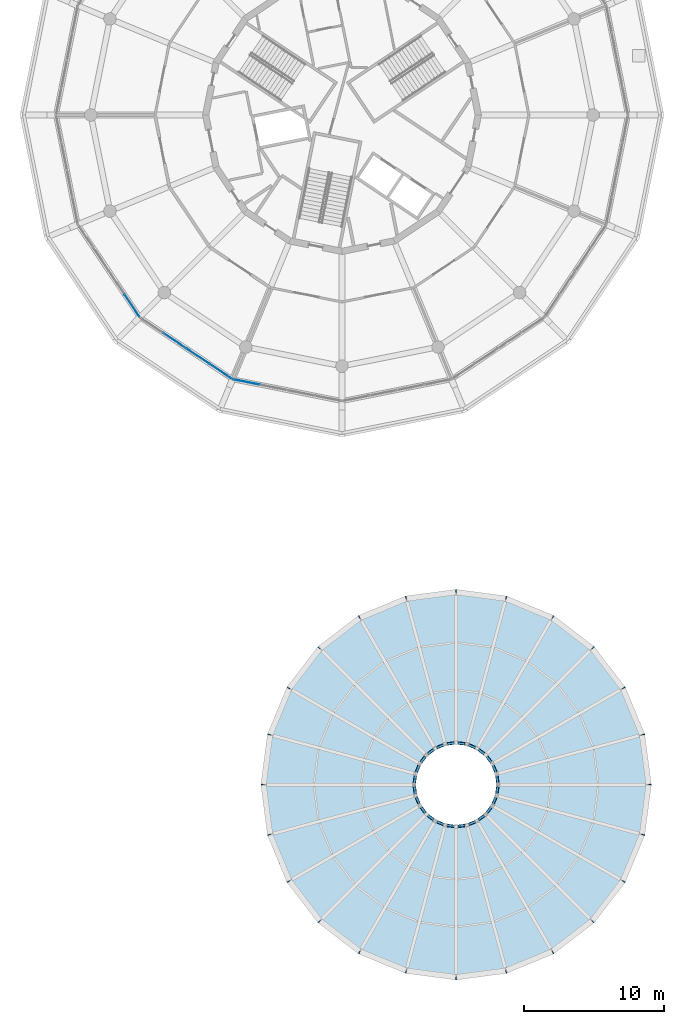
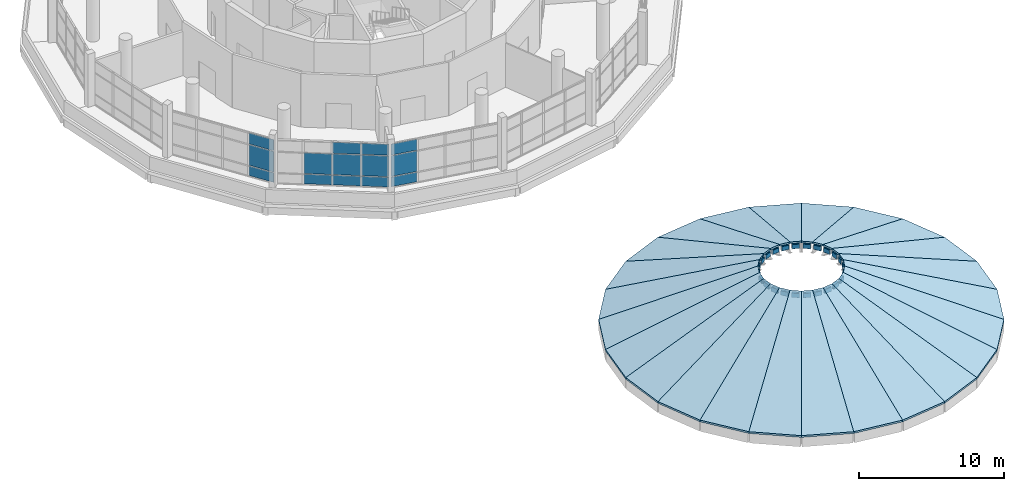
# One storey, part 12 of 21: 24 beams, 24 slabs, 14 plates, 3 elements without a shape of their own.
"""IFC4 building model written with IfcOpenShell, lengths in metres."""

from ifc_helpers import new_model, si_unit, direction, frame, origin, origin_2d, place, context, subcontext, project, spatial, polyline, rectangle, hollow_rectangle, outline, extrude, material, layer, layer_set, material_profile, profile_set, type_object, element, aggregate, save


model = new_model("IFC4")

# Units and contexts
model_context = context("Model", 3, precision=1e-05, world=origin(), true_north=direction((0.0, 1.0)))
body_context = subcontext(model_context, "Body", "Model", "MODEL_VIEW")
ifc_project = project(units=[si_unit("LENGTHUNIT", "METRE"), si_unit("AREAUNIT", "SQUARE_METRE"), si_unit("VOLUMEUNIT", "CUBIC_METRE"), si_unit("PLANEANGLEUNIT", "RADIAN"), si_unit("MASSUNIT", "GRAM", prefix="KILO")], contexts=[model_context])

# Site, building, storey
site_placement = place(None, origin())
site = spatial("IfcSite", under=ifc_project, at=site_placement, CompositionType="ELEMENT")
building_placement = place(site_placement, origin())
building = spatial("IfcBuilding", under=site, at=building_placement, Name="Ceibo Conservatory and Research Tower", CompositionType="ELEMENT")
storey_placement = place(building_placement, frame((0.0, 0.0, 15.60009765625)))
storey = spatial("IfcBuildingStorey", under=building, at=storey_placement, Name="L03", CompositionType="ELEMENT", Elevation=15.60009765625)

# Beams
ifc_material_1 = material(Name="Steel S355J2H", Category="steel")
ifc_material_profile = material_profile(ifc_material_1, hollow_rectangle(XDim=0.199951171875, YDim=0.39990234375, WallThickness=0.012451171875, InnerFilletRadius=0.02490234375, OuterFilletRadius=0.03759765625, at=origin_2d()), Name="RHS 400x200x12.5")
ifc_profile_set = profile_set([ifc_material_profile], Name="Steel S355J2H")
beam_type = type_object("IfcBeamType", Name="compression ring RHS 400x200x12.5", PredefinedType="BEAM", material=ifc_profile_set)
for number, where, z_axis, x_axis, name in (
    (1, (59.16357421875, 72.125, 5.0498046875), (-0.130597255513, 0.991435503123, 0.0), (-0.991435503123, -0.130597255513, 0.0), "Auditorium compression ring chord 01"),
    (2, (59.029541015625, 72.892822265625, 5.0498046875), (-0.382460061693, 0.923972024041, 0.0), (-0.923972024041, -0.382460061693, 0.0), "Auditorium compression ring chord 02"),
    (3, (58.701416015625, 73.60009765625, 5.0498046875), (-0.608865897891, 0.793273167569, 0.0), (-0.793273167569, -0.608865897891, 0.0), "Auditorium compression ring chord 03"),
    (4, (58.201416015625, 74.197998046875, 5.0498046875), (-0.793443555706, 0.60864383995, 0.0), (-0.60864383995, -0.793443555706, 0.0), "Auditorium compression ring chord 04"),
):
    element("IfcBeam", number, at=place(storey_placement, frame(where, z_axis=z_axis, x_axis=x_axis)), inside=storey, type_object=beam_type, Name=name, PredefinedType="BEAM", context=body_context, shape_type="SweptSolid", body=[
        extrude(hollow_rectangle(XDim=0.199951171875, YDim=0.39990234375, WallThickness=0.012451171875, InnerFilletRadius=0.02490234375, OuterFilletRadius=0.03759765625, at=origin_2d()), origin(), (0.0, 0.0, 1.0), 0.531005859375),
    ])
beam_1_placement = place(storey_placement, frame((57.563720703125, 74.646240234375, 5.0498046875), z_axis=(-0.923809523799, 0.382852404639, 0.0), x_axis=(-0.382852404639, -0.923809523799, 0.0)))
element("IfcBeam", 5, at=beam_1_placement, inside=storey, type_object=beam_type, Name="Auditorium compression ring chord 05", PredefinedType="BEAM", context=body_context, shape_type="SweptSolid", body=[
    extrude(hollow_rectangle(XDim=0.199951171875, YDim=0.39990234375, WallThickness=0.012451171875, InnerFilletRadius=0.02490234375, OuterFilletRadius=0.03759765625, at=origin_2d()), origin(), (0.0, 0.0, 1.0), 0.53125),
])
beam_2_placement = place(storey_placement, frame((56.83154296875, 74.914306640625, 5.0498046875), z_axis=(-0.991435503123, 0.130597255513, 0.0), x_axis=(-0.130597255513, -0.991435503123, 0.0)))
element("IfcBeam", 6, at=beam_2_placement, inside=storey, type_object=beam_type, Name="Auditorium compression ring chord 06", PredefinedType="BEAM", context=body_context, shape_type="SweptSolid", body=[
    extrude(hollow_rectangle(XDim=0.199951171875, YDim=0.39990234375, WallThickness=0.012451171875, InnerFilletRadius=0.02490234375, OuterFilletRadius=0.03759765625, at=origin_2d()), origin(), (0.0, 0.0, 1.0), 0.531005859375),
])
beam_3_placement = place(storey_placement, frame((56.05517578125, 74.983642578125, 5.0498046875), z_axis=(-0.991443340791, -0.130537741671, 0.0), x_axis=(0.130537741671, -0.991443340791, 0.0)))
element("IfcBeam", 7, at=beam_3_placement, inside=storey, type_object=beam_type, Name="Auditorium compression ring chord 07", PredefinedType="BEAM", context=body_context, shape_type="SweptSolid", body=[
    extrude(hollow_rectangle(XDim=0.199951171875, YDim=0.39990234375, WallThickness=0.012451171875, InnerFilletRadius=0.02490234375, OuterFilletRadius=0.03759765625, at=origin_2d()), origin(), (0.0, 0.0, 1.0), 0.53125),
])
for number, where, z_axis, x_axis, name in (
    (8, (55.287109375, 74.849609375, 5.0498046875), (-0.923742113572, -0.3830150227, 0.0), (0.3830150227, -0.923742113572, 0.0), "Auditorium compression ring chord 08"),
    (9, (54.580078125, 74.521240234375, 5.0498046875), (-0.793443555706, -0.60864383995, 0.0), (0.60864383995, -0.793443555706, 0.0), "Auditorium compression ring chord 09"),
    (10, (53.98193359375, 74.021240234375, 5.0498046875), (-0.608865897891, -0.793273167569, 0.0), (0.793273167569, -0.608865897891, 0.0), "Auditorium compression ring chord 10"),
    (11, (53.53369140625, 73.383544921875, 5.0498046875), (-0.382460061693, -0.923972024041, 0.0), (0.923972024041, -0.382460061693, 0.0), "Auditorium compression ring chord 11"),
    (12, (53.265869140625, 72.6513671875, 5.0498046875), (-0.130597255513, -0.991435503123, 0.0), (0.991435503123, -0.130597255513, 0.0), "Auditorium compression ring chord 12"),
    (13, (53.196533203125, 71.875, 5.0498046875), (0.130597255513, -0.991435503123, 0.0), (0.991435503123, 0.130597255513, 0.0), "Auditorium compression ring chord 13"),
    (14, (53.33056640625, 71.107177734375, 5.0498046875), (0.382460061693, -0.923972024041, 0.0), (0.923972024041, 0.382460061693, 0.0), "Auditorium compression ring chord 14"),
    (15, (53.65869140625, 70.39990234375, 5.0498046875), (0.608865897891, -0.793273167569, 0.0), (0.793273167569, 0.608865897891, 0.0), "Auditorium compression ring chord 15"),
    (16, (54.15869140625, 69.802001953125, 5.0498046875), (0.793443555706, -0.60864383995, 0.0), (0.60864383995, 0.793443555706, 0.0), "Auditorium compression ring chord 16"),
    (17, (54.796630859375, 69.353759765625, 5.0498046875), (0.923742113572, -0.3830150227, 0.0), (0.3830150227, 0.923742113572, 0.0), "Auditorium compression ring chord 17"),
):
    element("IfcBeam", number, at=place(storey_placement, frame(where, z_axis=z_axis, x_axis=x_axis)), inside=storey, type_object=beam_type, Name=name, PredefinedType="BEAM", context=body_context, shape_type="SweptSolid", body=[
        extrude(hollow_rectangle(XDim=0.199951171875, YDim=0.39990234375, WallThickness=0.012451171875, InnerFilletRadius=0.02490234375, OuterFilletRadius=0.03759765625, at=origin_2d()), origin(), (0.0, 0.0, 1.0), 0.531005859375),
    ])
beam_4_placement = place(storey_placement, frame((55.528564453125, 69.085693359375, 5.0498046875), z_axis=(0.991443340791, -0.130537741671, 0.0), x_axis=(0.130537741671, 0.991443340791, 0.0)))
element("IfcBeam", 18, at=beam_4_placement, inside=storey, type_object=beam_type, Name="Auditorium compression ring chord 18", PredefinedType="BEAM", context=body_context, shape_type="SweptSolid", body=[
    extrude(hollow_rectangle(XDim=0.199951171875, YDim=0.39990234375, WallThickness=0.012451171875, InnerFilletRadius=0.02490234375, OuterFilletRadius=0.03759765625, at=origin_2d()), origin(), (0.0, 0.0, 1.0), 0.53125),
])
beam_5_placement = place(storey_placement, frame((56.30517578125, 69.016357421875, 5.0498046875), z_axis=(0.991435503123, 0.130597255513, 0.0), x_axis=(-0.130597255513, 0.991435503123, 0.0)))
element("IfcBeam", 19, at=beam_5_placement, inside=storey, type_object=beam_type, Name="Auditorium compression ring chord 19", PredefinedType="BEAM", context=body_context, shape_type="SweptSolid", body=[
    extrude(hollow_rectangle(XDim=0.199951171875, YDim=0.39990234375, WallThickness=0.012451171875, InnerFilletRadius=0.02490234375, OuterFilletRadius=0.03759765625, at=origin_2d()), origin(), (0.0, 0.0, 1.0), 0.531005859375),
])
beam_6_placement = place(storey_placement, frame((57.072998046875, 69.150390625, 5.0498046875), z_axis=(0.923809523799, 0.382852404639, 0.0), x_axis=(-0.382852404639, 0.923809523799, 0.0)))
element("IfcBeam", 20, at=beam_6_placement, inside=storey, type_object=beam_type, Name="Auditorium compression ring chord 20", PredefinedType="BEAM", context=body_context, shape_type="SweptSolid", body=[
    extrude(hollow_rectangle(XDim=0.199951171875, YDim=0.39990234375, WallThickness=0.012451171875, InnerFilletRadius=0.02490234375, OuterFilletRadius=0.03759765625, at=origin_2d()), origin(), (0.0, 0.0, 1.0), 0.53125),
])
for number, where, z_axis, x_axis, name in (
    (21, (57.780029296875, 69.478759765625, 5.0498046875), (0.793443555706, 0.60864383995, 0.0), (-0.60864383995, 0.793443555706, 0.0), "Auditorium compression ring chord 21"),
    (22, (58.378173828125, 69.978759765625, 5.0498046875), (0.608865897891, 0.793273167569, 0.0), (-0.793273167569, 0.608865897891, 0.0), "Auditorium compression ring chord 22"),
    (23, (58.826416015625, 70.616455078125, 5.0498046875), (0.382460061693, 0.923972024041, 0.0), (-0.923972024041, 0.382460061693, 0.0), "Auditorium compression ring chord 23"),
    (24, (59.09423828125, 71.3486328125, 5.0498046875), (0.130597255513, 0.991435503123, 0.0), (-0.991435503123, 0.130597255513, 0.0), "Auditorium compression ring chord 24"),
):
    element("IfcBeam", number, at=place(storey_placement, frame(where, z_axis=z_axis, x_axis=x_axis)), inside=storey, type_object=beam_type, Name=name, PredefinedType="BEAM", context=body_context, shape_type="SweptSolid", body=[
        extrude(hollow_rectangle(XDim=0.199951171875, YDim=0.39990234375, WallThickness=0.012451171875, InnerFilletRadius=0.02490234375, OuterFilletRadius=0.03759765625, at=origin_2d()), origin(), (0.0, 0.0, 1.0), 0.531005859375),
    ])

# Curtain wall, plates
ifc_material_2 = material(Name="Aluminium and glass", Category="aluminium")
curtain_wall_type = type_object("IfcCurtainWallType", Name="Curtain wall CW1", PredefinedType="NOTDEFINED", material=ifc_material_2)
curtain_wall_1_placement = place(storey_placement, origin())
curtain_wall_1 = element("IfcCurtainWall", 25, at=curtain_wall_1_placement, inside=storey, type_object=curtain_wall_type, Name="CW-03.10", PredefinedType="NOTDEFINED")
ifc_material_3 = material(Name="Glass", Category="glass")
ifc_layer_1 = layer(ifc_material_3, 0.028076171875)
ifc_layer_set_1 = layer_set([ifc_layer_1], Name="Glass")
plate_type = type_object("IfcPlateType", Name="Insulated glass panel 28", PredefinedType="CURTAIN_PANEL", material=ifc_layer_set_1)
plate_1_placement = place(storey_placement, frame((32.9404296875, 106.34814453125, 0.059814453125), z_axis=(0.0, 0.0, 1.0), x_axis=(0.555570178092, -0.831469649004, 0.0)))
plate_1 = element("IfcPlate", 26, at=plate_1_placement, type_object=plate_type, Name="CW-03.10 panel 4.1", PredefinedType="CURTAIN_PANEL", context=body_context, shape_type="SweptSolid", body=[
    extrude(rectangle(XDim=1.90966796875, YDim=0.028076171875, at=origin_2d()), origin(), (0.0, 0.0, 1.0), 0.81005859375),
])
plate_2_placement = place(storey_placement, frame((32.9404296875, 106.34814453125, 0.9296875), z_axis=(0.0, 0.0, 1.0), x_axis=(0.555570178092, -0.831469649004, 0.0)))
plate_2 = element("IfcPlate", 27, at=plate_2_placement, type_object=plate_type, Name="CW-03.10 panel 4.2", PredefinedType="CURTAIN_PANEL", context=body_context, shape_type="SweptSolid", body=[
    extrude(rectangle(XDim=1.90966796875, YDim=0.028076171875, at=origin_2d()), origin(), (0.0, 0.0, 1.0), 1.739990234375),
])
plate_3_placement = place(storey_placement, frame((32.9404296875, 106.34814453125, 2.72998046875), z_axis=(0.0, 0.0, 1.0), x_axis=(0.555570178092, -0.831469649004, 0.0)))
plate_3 = element("IfcPlate", 28, at=plate_3_placement, type_object=plate_type, Name="CW-03.10 panel 4.3", PredefinedType="CURTAIN_PANEL", context=body_context, shape_type="SweptSolid", body=[
    extrude(rectangle(XDim=1.90966796875, YDim=0.028076171875, at=origin_2d()), origin(), (0.0, 0.0, 1.0), 0.929931640625),
])
aggregate(curtain_wall_1, [plate_1, plate_2, plate_3])

curtain_wall_2_placement = place(storey_placement, origin())
curtain_wall_2 = element("IfcCurtainWall", 29, at=curtain_wall_2_placement, inside=storey, type_object=curtain_wall_type, Name="CW-03.11", PredefinedType="NOTDEFINED")
plate_4_placement = place(storey_placement, frame((35.998291015625, 103.837890625, 0.059814453125), z_axis=(0.0, 0.0, 1.0), x_axis=(0.831469649004, -0.555570178092, 0.0)))
plate_4 = element("IfcPlate", 30, at=plate_4_placement, type_object=plate_type, Name="CW-03.11 panel 2.1", PredefinedType="CURTAIN_PANEL", context=body_context, shape_type="SweptSolid", body=[
    extrude(rectangle(XDim=1.939697265625, YDim=0.028076171875, at=origin_2d()), origin(), (0.0, 0.0, 1.0), 0.81005859375),
])
plate_5_placement = place(storey_placement, frame((35.998291015625, 103.837890625, 0.9296875), z_axis=(0.0, 0.0, 1.0), x_axis=(0.831469649004, -0.555570178092, 0.0)))
plate_5 = element("IfcPlate", 31, at=plate_5_placement, type_object=plate_type, Name="CW-03.11 panel 2.2", PredefinedType="CURTAIN_PANEL", context=body_context, shape_type="SweptSolid", body=[
    extrude(rectangle(XDim=1.939697265625, YDim=0.028076171875, at=origin_2d()), origin(), (0.0, 0.0, 1.0), 1.739990234375),
])
plate_6_placement = place(storey_placement, frame((37.660888671875, 102.726806640625, 0.059814453125), z_axis=(0.0, 0.0, 1.0), x_axis=(0.831469649004, -0.555570178092, 0.0)))
plate_6 = element("IfcPlate", 32, at=plate_6_placement, type_object=plate_type, Name="CW-03.11 panel 3.1", PredefinedType="CURTAIN_PANEL", context=body_context, shape_type="SweptSolid", body=[
    extrude(rectangle(XDim=1.939697265625, YDim=0.028076171875, at=origin_2d()), origin(), (0.0, 0.0, 1.0), 0.81005859375),
])
plate_7_placement = place(storey_placement, frame((37.660888671875, 102.726806640625, 0.9296875), z_axis=(0.0, 0.0, 1.0), x_axis=(0.831469649004, -0.555570178092, 0.0)))
plate_7 = element("IfcPlate", 33, at=plate_7_placement, type_object=plate_type, Name="CW-03.11 panel 3.2", PredefinedType="CURTAIN_PANEL", context=body_context, shape_type="SweptSolid", body=[
    extrude(rectangle(XDim=1.939697265625, YDim=0.028076171875, at=origin_2d()), origin(), (0.0, 0.0, 1.0), 1.739990234375),
])
plate_8_placement = place(storey_placement, frame((37.660888671875, 102.726806640625, 2.72998046875), z_axis=(0.0, 0.0, 1.0), x_axis=(0.831469649004, -0.555570178092, 0.0)))
plate_8 = element("IfcPlate", 34, at=plate_8_placement, type_object=plate_type, Name="CW-03.11 panel 3.3", PredefinedType="CURTAIN_PANEL", context=body_context, shape_type="SweptSolid", body=[
    extrude(rectangle(XDim=1.939697265625, YDim=0.028076171875, at=origin_2d()), origin(), (0.0, 0.0, 1.0), 0.929931640625),
])
plate_9_placement = place(storey_placement, frame((39.311279296875, 101.624267578125, 0.059814453125), z_axis=(0.0, 0.0, 1.0), x_axis=(0.831469649004, -0.555570178092, 0.0)))
plate_9 = element("IfcPlate", 35, at=plate_9_placement, type_object=plate_type, Name="CW-03.11 panel 4.1", PredefinedType="CURTAIN_PANEL", context=body_context, shape_type="SweptSolid", body=[
    extrude(rectangle(XDim=1.90966796875, YDim=0.028076171875, at=origin_2d()), origin(), (0.0, 0.0, 1.0), 0.81005859375),
])
plate_10_placement = place(storey_placement, frame((39.311279296875, 101.624267578125, 0.9296875), z_axis=(0.0, 0.0, 1.0), x_axis=(0.831469649004, -0.555570178092, 0.0)))
plate_10 = element("IfcPlate", 36, at=plate_10_placement, type_object=plate_type, Name="CW-03.11 panel 4.2", PredefinedType="CURTAIN_PANEL", context=body_context, shape_type="SweptSolid", body=[
    extrude(rectangle(XDim=1.90966796875, YDim=0.028076171875, at=origin_2d()), origin(), (0.0, 0.0, 1.0), 1.739990234375),
])
plate_11_placement = place(storey_placement, frame((39.311279296875, 101.624267578125, 2.72998046875), z_axis=(0.0, 0.0, 1.0), x_axis=(0.831469649004, -0.555570178092, 0.0)))
plate_11 = element("IfcPlate", 37, at=plate_11_placement, type_object=plate_type, Name="CW-03.11 panel 4.3", PredefinedType="CURTAIN_PANEL", context=body_context, shape_type="SweptSolid", body=[
    extrude(rectangle(XDim=1.90966796875, YDim=0.028076171875, at=origin_2d()), origin(), (0.0, 0.0, 1.0), 0.929931640625),
])
aggregate(curtain_wall_2, [plate_4, plate_5, plate_6, plate_7, plate_8, plate_9, plate_10, plate_11])

curtain_wall_3_placement = place(storey_placement, origin())
curtain_wall_3 = element("IfcCurtainWall", 38, at=curtain_wall_3_placement, inside=storey, type_object=curtain_wall_type, Name="CW-03.12", PredefinedType="NOTDEFINED")
plate_12_placement = place(storey_placement, frame((41.150390625, 100.862548828125, 0.059814453125), z_axis=(0.0, 0.0, 1.0), x_axis=(0.980785268711, -0.195090380799, 0.0)))
plate_12 = element("IfcPlate", 39, at=plate_12_placement, type_object=plate_type, Name="CW-03.12 panel 1.1", PredefinedType="CURTAIN_PANEL", context=body_context, shape_type="SweptSolid", body=[
    extrude(rectangle(XDim=1.90966796875, YDim=0.028076171875, at=origin_2d()), origin(), (0.0, 0.0, 1.0), 0.81005859375),
])
plate_13_placement = place(storey_placement, frame((41.150390625, 100.862548828125, 0.9296875), z_axis=(0.0, 0.0, 1.0), x_axis=(0.980785268711, -0.195090380799, 0.0)))
plate_13 = element("IfcPlate", 40, at=plate_13_placement, type_object=plate_type, Name="CW-03.12 panel 1.2", PredefinedType="CURTAIN_PANEL", context=body_context, shape_type="SweptSolid", body=[
    extrude(rectangle(XDim=1.90966796875, YDim=0.028076171875, at=origin_2d()), origin(), (0.0, 0.0, 1.0), 1.739990234375),
])
plate_14_placement = place(storey_placement, frame((41.150390625, 100.862548828125, 2.72998046875), z_axis=(0.0, 0.0, 1.0), x_axis=(0.980785268711, -0.195090380799, 0.0)))
plate_14 = element("IfcPlate", 41, at=plate_14_placement, type_object=plate_type, Name="CW-03.12 panel 1.3", PredefinedType="CURTAIN_PANEL", context=body_context, shape_type="SweptSolid", body=[
    extrude(rectangle(XDim=1.90966796875, YDim=0.028076171875, at=origin_2d()), origin(), (0.0, 0.0, 1.0), 0.929931640625),
])
aggregate(curtain_wall_3, [plate_12, plate_13, plate_14])

# Slabs
ifc_material_4 = material(Name="Concrete C35/45", Category="concrete")
ifc_layer_2 = layer(ifc_material_4, 0.14990234375)
ifc_layer_set_2 = layer_set([ifc_layer_2], Name="Concrete C35/45")
slab_type = type_object("IfcSlabType", Name="RC auditorium roof deck 150", PredefinedType="ROOF", material=ifc_layer_set_2)
slab_1_placement = place(storey_placement, frame((70.18017578125, 72.0, 0.89990234375), z_axis=(0.378161140963, 0.049793385168, 0.924399681014), x_axis=(-0.130529778904, 0.991444389149, -6.579645e-06)))
element("IfcSlab", 42, at=slab_1_placement, inside=storey, type_object=slab_type, Name="Auditorium roof deck 01", PredefinedType="ROOF", context=body_context, shape_type="SweptSolid", body=[
    extrude(outline(polyline([(0.0, 0.0), (3.654802932552482, 5.551115123125783e-17), (2.218875385040233, 11.797893480099768), (1.4357979595382517, 11.797816925970205), (0.0, 0.0)])), origin(), (6.579645e-06, -0.381425260959, -0.924399681014), 0.14990234375),
])
slab_2_placement = place(storey_placement, frame((69.703125, 75.62353515625, 0.89990234375), z_axis=(0.352384203007, 0.14597695012, 0.924400402155), x_axis=(-0.382708973883, 0.923868952449, -3.218566e-06)))
element("IfcSlab", 43, at=slab_2_placement, inside=storey, type_object=slab_type, Name="Auditorium roof deck 02", PredefinedType="ROOF", context=body_context, shape_type="SweptSolid", body=[
    extrude(outline(polyline([(0.0, 0.0), (3.6546990536484985, 2.220446049250313e-16), (2.219231542796378, 11.797927988261444), (1.4359517100358992, 11.797890539263575), (0.0, 0.0)])), origin(), (3.218566e-06, -0.381423513283, -0.924400402155), 0.14990234375),
])
slab_3_placement = place(storey_placement, frame((68.304443359375, 79.0, 0.89990234375), z_axis=(0.302613075309, 0.232190117072, 0.924398764704), x_axis=(-0.608766365868, 0.793349551962, 1.3778438e-05)))
element("IfcSlab", 44, at=slab_3_placement, inside=storey, type_object=slab_type, Name="Auditorium roof deck 03", PredefinedType="ROOF", context=body_context, shape_type="SweptSolid", body=[
    extrude(outline(polyline([(0.0, 0.0), (3.654664836731855, 0.0), (2.2190247582124014, 11.79770636322843), (1.435971399834186, 11.797866668468819), (0.0, 0.0)])), origin(), (-1.3778438e-05, -0.381427481475, -0.924398764704), 0.14990234375),
])
slab_4_placement = place(storey_placement, frame((66.07958984375, 81.8994140625, 0.89990234375), z_axis=(0.232205086576, 0.302605237078, 0.924397570454), x_axis=(-0.793345686421, 0.608771403594, 1.610659e-06)))
element("IfcSlab", 45, at=slab_4_placement, inside=storey, type_object=slab_type, Name="Auditorium roof deck 04", PredefinedType="ROOF", context=body_context, shape_type="SweptSolid", body=[
    extrude(outline(polyline([(0.0, 0.0), (3.6546648371322816, -4.440892098500626e-16), (2.218842062356807, 11.797687623581096), (1.4356400791630095, 11.79770636327416), (0.0, 0.0)])), origin(), (-1.610659e-06, -0.381430376001, -0.924397570454), 0.14990234375),
])
slab_5_placement = place(storey_placement, frame((63.18017578125, 84.124267578125, 0.89990234375), z_axis=(0.145953446034, 0.352399098064, 0.924398435348), x_axis=(-0.923881314028, 0.38267913115, -1.3110317e-05)))
element("IfcSlab", 46, at=slab_5_placement, inside=storey, type_object=slab_type, Name="Auditorium roof deck 05", PredefinedType="ROOF", context=body_context, shape_type="SweptSolid", body=[
    extrude(outline(polyline([(0.0, 0.0), (3.6549246085649023, 0.0), (2.2190261434079805, 11.797838103911447), (1.435839739916643, 11.79768555873533), (0.0, 0.0)])), origin(), (1.3110317e-05, -0.381428279699, -0.924398435348), 0.14990234375),
])
slab_6_placement = place(storey_placement, frame((59.803466796875, 85.52294921875, 0.89990234375), z_axis=(0.049796163336, 0.378161255575, 0.924399484476), x_axis=(-0.991443280127, 0.130538202284, 6.037476e-06)))
element("IfcSlab", 47, at=slab_6_placement, inside=storey, type_object=slab_type, Name="Auditorium roof deck 06", PredefinedType="ROOF", context=body_context, shape_type="SweptSolid", body=[
    extrude(outline(polyline([(0.0, 0.0), (3.654560880766711, 5.551115123125783e-17), (2.2186678242856366, 11.797805352258518), (1.4355903981236997, 11.797875594329565), (0.0, 0.0)])), origin(), (-6.037476e-06, -0.381425737286, -0.924399484476), 0.14990234375),
])
slab_7_placement = place(storey_placement, frame((56.18017578125, 86.0, 0.89990234375), z_axis=(-0.049790731642, 0.378161970667, 0.924399484522), x_axis=(-0.991444525536, -0.130528743075, -4.0476e-06)))
element("IfcSlab", 48, at=slab_7_placement, inside=storey, type_object=slab_type, Name="Auditorium roof deck 07", PredefinedType="ROOF", context=body_context, shape_type="SweptSolid", body=[
    extrude(outline(polyline([(0.0, 0.0), (3.6548029326100266, 5.551115123125783e-17), (2.2191174369446403, 11.797864022284362), (1.435797959630735, 11.797816925976775), (0.0, 0.0)])), origin(), (4.0476e-06, -0.381425737201, -0.924399484522), 0.14990234375),
])
slab_8_placement = place(storey_placement, frame((52.556640625, 85.52294921875, 0.89990234375), z_axis=(-0.145968283045, 0.352392952441, 0.924398435424), x_axis=(-0.923870610077, -0.382704972247, 7.278652e-06)))
element("IfcSlab", 49, at=slab_8_placement, inside=storey, type_object=slab_type, Name="Auditorium roof deck 08", PredefinedType="ROOF", context=body_context, shape_type="SweptSolid", body=[
    extrude(outline(polyline([(0.0, 0.0), (3.654699053557358, 0.0), (2.2191381083431847, 11.797719486237616), (1.4361772639569894, 11.79780416843307), (0.0, 0.0)])), origin(), (-7.278652e-06, -0.38142827967, -0.924398435424), 0.14990234375),
])
slab_9_placement = place(storey_placement, frame((49.18017578125, 84.124267578125, 0.89990234375), z_axis=(-0.232193600551, 0.302611251324, 0.92439848682), x_axis=(-0.793369806051, -0.608739969797, -4.140903e-06)))
element("IfcSlab", 50, at=slab_9_placement, inside=storey, type_object=slab_type, Name="Auditorium roof deck 09", PredefinedType="ROOF", context=body_context, shape_type="SweptSolid", body=[
    extrude(outline(polyline([(0.0, 0.0), (3.65485852813361, 2.220446049250313e-16), (2.2185812702852985, 11.797789770023003), (1.435379288494542, 11.797741589054063), (0.0, 0.0)])), origin(), (4.140903e-06, -0.381428155159, -0.92439848682), 0.14990234375),
])
slab_10_placement = place(storey_placement, frame((46.280517578125, 81.8994140625, 0.89990234375), z_axis=(-0.302600644747, 0.232201562636, 0.924399958951), x_axis=(-0.608771403578, -0.793345686434, 1.610638e-06)))
element("IfcSlab", 51, at=slab_10_placement, inside=storey, type_object=slab_type, Name="Auditorium roof deck 10", PredefinedType="ROOF", context=body_context, shape_type="SweptSolid", body=[
    extrude(outline(polyline([(0.0, 0.0), (3.654664837132282, 2.220446049250313e-16), (2.218693436654575, 11.797866668514533), (1.4354914534607788, 11.797885408256017), (0.0, 0.0)])), origin(), (-1.610638e-06, -0.381424587421, -0.924399958951), 0.14990234375),
])
slab_11_placement = place(storey_placement, frame((44.0556640625, 79.0, 0.89990234375), z_axis=(-0.352394735619, 0.145960329937, 0.924399011462), x_axis=(-0.382653418255, -0.923891964165, 7.059458e-06)))
element("IfcSlab", 52, at=slab_11_placement, inside=storey, type_object=slab_type, Name="Auditorium roof deck 11", PredefinedType="ROOF", context=body_context, shape_type="SweptSolid", body=[
    extrude(outline(polyline([(0.0, 0.0), (3.654605626015894, 0.0), (2.2194204315730346, 11.797763936405453), (1.4361406026177068, 11.79784607289867), (0.0, 0.0)])), origin(), (-7.059458e-06, -0.381426883632, -0.924399011462), 0.14990234375),
])
slab_12_placement = place(storey_placement, frame((42.6572265625, 75.62353515625, 0.89990234375), z_axis=(-0.378167442602, 0.049773231265, 0.924398188448), x_axis=(-0.130521911556, -0.991445424844, -1.265156e-05)))
element("IfcSlab", 53, at=slab_12_placement, inside=storey, type_object=slab_type, Name="Auditorium roof deck 12", PredefinedType="ROOF", context=body_context, shape_type="SweptSolid", body=[
    extrude(outline(polyline([(0.0, 0.0), (3.6548029323027644, -5.551115123125783e-17), (2.2190049731658448, 11.79781692594169), (1.4359594140755874, 11.797669727573393), (0.0, 0.0)])), origin(), (1.265156e-05, -0.381428878082, -0.924398188448), 0.14990234375),
])
slab_13_placement = place(storey_placement, frame((42.18017578125, 72.0, 0.89990234375), z_axis=(-0.378167442602, -0.049773231265, 0.924398188448), x_axis=(0.130521911556, -0.991445424844, 1.265156e-05)))
element("IfcSlab", 54, at=slab_13_placement, inside=storey, type_object=slab_type, Name="Auditorium roof deck 13", PredefinedType="ROOF", context=body_context, shape_type="SweptSolid", body=[
    extrude(outline(polyline([(0.0, 0.0), (3.6548029323027644, 5.551115123125783e-17), (2.2188435182271777, 11.797669727573394), (1.4357979591369194, 11.79781692594169), (0.0, 0.0)])), origin(), (-1.265156e-05, -0.381428878082, -0.924398188448), 0.14990234375),
])
slab_14_placement = place(storey_placement, frame((42.6572265625, 68.37646484375, 0.89990234375), z_axis=(-0.352394735619, -0.145960329937, 0.924399011462), x_axis=(0.382653418255, -0.923891964165, -7.059458e-06)))
element("IfcSlab", 55, at=slab_14_placement, inside=storey, type_object=slab_type, Name="Auditorium roof deck 14", PredefinedType="ROOF", context=body_context, shape_type="SweptSolid", body=[
    extrude(outline(polyline([(0.0, 0.0), (3.654605626015894, 0.0), (2.218465023398187, 11.79784607289867), (1.4351851944428589, 11.797763936405453), (0.0, 0.0)])), origin(), (7.059458e-06, -0.381426883632, -0.924399011462), 0.14990234375),
])
slab_15_placement = place(storey_placement, frame((44.0556640625, 65.0, 0.89990234375), z_axis=(-0.302600644747, -0.232201562636, 0.924399958951), x_axis=(0.608771403578, -0.793345686434, -1.610638e-06)))
element("IfcSlab", 56, at=slab_15_placement, inside=storey, type_object=slab_type, Name="Auditorium roof deck 15", PredefinedType="ROOF", context=body_context, shape_type="SweptSolid", body=[
    extrude(outline(polyline([(0.0, 0.0), (3.654664837132282, -2.220446049250313e-16), (2.219173383671504, 11.797885408256017), (1.4359714004777067, 11.797866668514532), (0.0, 0.0)])), origin(), (1.610638e-06, -0.381424587421, -0.924399958951), 0.14990234375),
])
slab_16_placement = place(storey_placement, frame((46.280517578125, 62.1005859375, 0.89990234375), z_axis=(-0.232193600551, -0.302611251324, 0.92439848682), x_axis=(0.793369806051, -0.608739969797, 4.140903e-06)))
element("IfcSlab", 57, at=slab_16_placement, inside=storey, type_object=slab_type, Name="Auditorium roof deck 16", PredefinedType="ROOF", context=body_context, shape_type="SweptSolid", body=[
    extrude(outline(polyline([(0.0, 0.0), (3.65485852813361, -2.220446049250313e-16), (2.219479239639068, 11.797741589054063), (1.4362772578483114, 11.797789770023003), (0.0, 0.0)])), origin(), (-4.140903e-06, -0.381428155159, -0.92439848682), 0.14990234375),
])
slab_17_placement = place(storey_placement, frame((49.18017578125, 59.875732421875, 0.89990234375), z_axis=(-0.145968283045, -0.352392952441, 0.924398435424), x_axis=(0.923870610077, -0.382704972247, -7.278652e-06)))
element("IfcSlab", 58, at=slab_17_placement, inside=storey, type_object=slab_type, Name="Auditorium roof deck 17", PredefinedType="ROOF", context=body_context, shape_type="SweptSolid", body=[
    extrude(outline(polyline([(0.0, 0.0), (3.654699053557358, 0.0), (2.2185217896003686, 11.79780416843307), (1.4355609452141729, 11.797719486237614), (0.0, 0.0)])), origin(), (7.278652e-06, -0.38142827967, -0.924398435424), 0.14990234375),
])
slab_18_placement = place(storey_placement, frame((52.556640625, 58.47705078125, 0.89990234375), z_axis=(-0.049790731642, -0.378161970667, 0.924399484522), x_axis=(0.991444525536, -0.130528743075, 4.0476e-06)))
element("IfcSlab", 59, at=slab_18_placement, inside=storey, type_object=slab_type, Name="Auditorium roof deck 18", PredefinedType="ROOF", context=body_context, shape_type="SweptSolid", body=[
    extrude(outline(polyline([(0.0, 0.0), (3.6548029326100266, -5.551115123125783e-17), (2.2190049729792913, 11.797816925976779), (1.435685495665386, 11.797864022284362), (0.0, 0.0)])), origin(), (-4.0476e-06, -0.381425737201, -0.924399484522), 0.14990234375),
])
slab_19_placement = place(storey_placement, frame((56.18017578125, 58.0, 0.89990234375), z_axis=(0.049796163336, -0.378161255575, 0.924399484476), x_axis=(0.991443280127, 0.130538202284, -6.037476e-06)))
element("IfcSlab", 60, at=slab_19_placement, inside=storey, type_object=slab_type, Name="Auditorium roof deck 19", PredefinedType="ROOF", context=body_context, shape_type="SweptSolid", body=[
    extrude(outline(polyline([(0.0, 0.0), (3.654560880766711, -5.551115123125783e-17), (2.2189704826430114, 11.797875594329565), (1.4358930564810743, 11.797805352258518), (0.0, 0.0)])), origin(), (6.037476e-06, -0.381425737286, -0.924399484476), 0.14990234375),
])
slab_20_placement = place(storey_placement, frame((59.803466796875, 58.47705078125, 0.89990234375), z_axis=(0.145953446034, -0.352399098064, 0.924398435348), x_axis=(0.923881314028, 0.38267913115, 1.3110317e-05)))
element("IfcSlab", 61, at=slab_20_placement, inside=storey, type_object=slab_type, Name="Auditorium roof deck 20", PredefinedType="ROOF", context=body_context, shape_type="SweptSolid", body=[
    extrude(outline(polyline([(0.0, 0.0), (3.6549246085649023, 0.0), (2.219084868648259, 11.797685558735331), (1.435898465156921, 11.797838103911445), (0.0, 0.0)])), origin(), (-1.3110317e-05, -0.381428279699, -0.924398435348), 0.14990234375),
])
slab_21_placement = place(storey_placement, frame((63.18017578125, 59.875732421875, 0.89990234375), z_axis=(0.232205086576, -0.302605237078, 0.924397570454), x_axis=(0.793345686421, 0.608771403594, -1.610659e-06)))
element("IfcSlab", 62, at=slab_21_placement, inside=storey, type_object=slab_type, Name="Auditorium roof deck 21", PredefinedType="ROOF", context=body_context, shape_type="SweptSolid", body=[
    extrude(outline(polyline([(0.0, 0.0), (3.6546648371322816, 4.440892098500626e-16), (2.219024757969272, 11.79770636327416), (1.435822774775475, 11.797687623581098), (0.0, 0.0)])), origin(), (1.610659e-06, -0.381430376001, -0.924397570454), 0.14990234375),
])
slab_22_placement = place(storey_placement, frame((66.07958984375, 62.1005859375, 0.89990234375), z_axis=(0.302613075309, -0.232190117072, 0.924398764704), x_axis=(0.608766365868, 0.793349551962, -1.3778438e-05)))
element("IfcSlab", 63, at=slab_22_placement, inside=storey, type_object=slab_type, Name="Auditorium roof deck 22", PredefinedType="ROOF", context=body_context, shape_type="SweptSolid", body=[
    extrude(outline(polyline([(0.0, 0.0), (3.654664836731855, 0.0), (2.2186934368976696, 11.797866668468819), (1.435640078519453, 11.79770636322843), (0.0, 0.0)])), origin(), (1.3778438e-05, -0.381427481475, -0.924398764704), 0.14990234375),
])
slab_23_placement = place(storey_placement, frame((68.304443359375, 65.0, 0.89990234375), z_axis=(0.352384203007, -0.14597695012, 0.924400402155), x_axis=(0.382708973883, 0.923868952449, 3.218566e-06)))
element("IfcSlab", 64, at=slab_23_placement, inside=storey, type_object=slab_type, Name="Auditorium roof deck 23", PredefinedType="ROOF", context=body_context, shape_type="SweptSolid", body=[
    extrude(outline(polyline([(0.0, 0.0), (3.6546990536484985, -2.220446049250313e-16), (2.2187473436125993, 11.797890539263575), (1.4354675108521207, 11.797927988261444), (0.0, 0.0)])), origin(), (-3.218566e-06, -0.381423513283, -0.924400402155), 0.14990234375),
])
slab_24_placement = place(storey_placement, frame((69.703125, 68.37646484375, 0.89990234375), z_axis=(0.378161140963, -0.049793385168, 0.924399681014), x_axis=(0.130529778904, 0.991444389149, 6.579645e-06)))
element("IfcSlab", 65, at=slab_24_placement, inside=storey, type_object=slab_type, Name="Auditorium roof deck 24", PredefinedType="ROOF", context=body_context, shape_type="SweptSolid", body=[
    extrude(outline(polyline([(0.0, 0.0), (3.654802932552482, -5.551115123125783e-17), (2.21900497301423, 11.797816925970205), (1.4359275475122488, 11.797893480099768), (0.0, 0.0)])), origin(), (-6.579645e-06, -0.381425260959, -0.924399681014), 0.14990234375),
])

save(model, "model.ifc")
